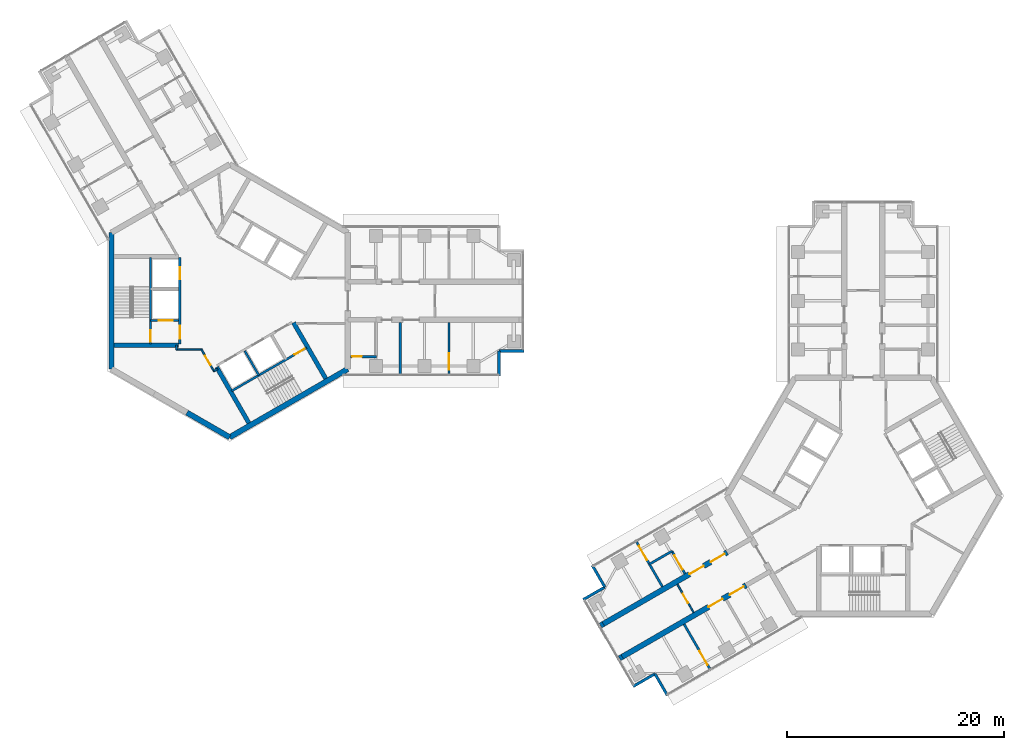
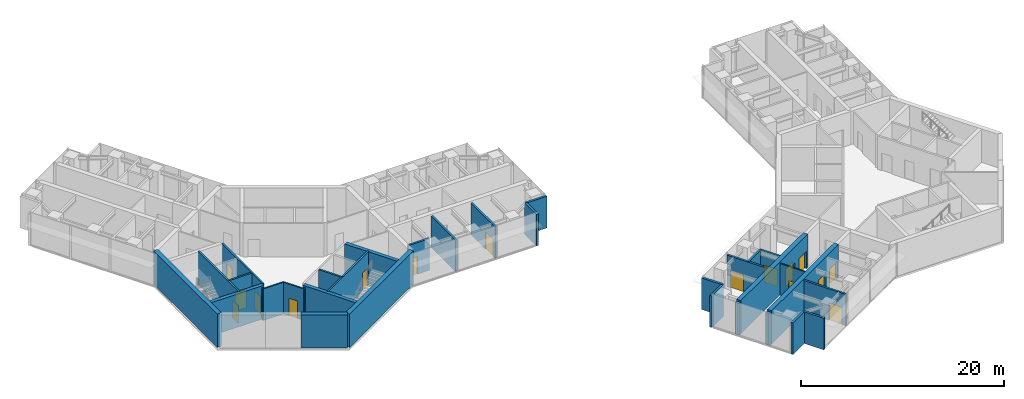
# One storey, part 11 of 17: 33 walls, 16 doors, 16 openings.
"""IFC4 building model written with IfcOpenShell, lengths in metres."""

from ifc_helpers import new_model, si_unit, direction, frame, frame_2d, origin, place, context, subcontext, project, spatial, rectangle, extrude, material, layer, layer_set, type_object, element, fill, save


model = new_model("IFC4")

# Units and contexts
model_context = context("Model", 3, precision=1e-05, world=origin(), true_north=direction((0.0, 1.0)))
body_context = subcontext(model_context, "Body", "Model", "MODEL_VIEW")
ifc_project = project(units=[si_unit("LENGTHUNIT", "METRE"), si_unit("AREAUNIT", "SQUARE_METRE"), si_unit("VOLUMEUNIT", "CUBIC_METRE"), si_unit("PLANEANGLEUNIT", "RADIAN"), si_unit("MASSUNIT", "GRAM", prefix="KILO")], contexts=[model_context])

# Site, building, storey
site_placement = place(None, origin())
site = spatial("IfcSite", under=ifc_project, at=site_placement, CompositionType="ELEMENT")
building_placement = place(site_placement, origin())
building = spatial("IfcBuilding", under=site, at=building_placement, Name="Upepo Twin Towers", CompositionType="ELEMENT")
storey_placement = place(building_placement, frame((0.0, 0.0, 190.5)))
storey = spatial("IfcBuildingStorey", under=building, at=storey_placement, Name="L46", CompositionType="ELEMENT", Elevation=190.5)

# Wall
ifc_material_1 = material(Name="Concrete blockwork, plastered both faces", Category="masonry")
ifc_layer_1 = layer(ifc_material_1, 0.215087890625)
ifc_layer_set_1 = layer_set([ifc_layer_1], Name="Blockwork partition 215")
wall_type_1 = type_object("IfcWallType", Name="Blockwork partition 215", PredefinedType="PARTITIONING", material=ifc_layer_set_1)
wall_1_placement = place(storey_placement, frame((15.75, -2.0, 0.0), z_axis=(0.0, 0.0, 1.0), x_axis=(0.0, -1.0, 0.0)))
element("IfcWall", 1, at=wall_1_placement, inside=storey, type_object=wall_type_1, Name="T1 partition AR at 15.75", PredefinedType="PARTITIONING", context=body_context, shape_type="SweptSolid", body=[
    extrude(rectangle(XDim=4.75, YDim=0.215087890625, at=frame_2d((2.375, 0.0))), origin(), (0.0, 0.0, 1.0), 3.800048828125),
])

# Wall, opening, door
wall_2_placement = place(storey_placement, frame((20.25, -2.0, 0.0), z_axis=(0.0, 0.0, 1.0), x_axis=(0.0, -1.0, 0.0)))
wall_2 = element("IfcWall", 2, at=wall_2_placement, inside=storey, type_object=wall_type_1, Name="T1 partition AR at 20.25", PredefinedType="PARTITIONING", context=body_context, shape_type="SweptSolid", body=[
    extrude(rectangle(XDim=4.75, YDim=0.215087890625, at=frame_2d((2.375, 0.0))), origin(), (0.0, 0.0, 1.0), 3.800048828125),
])
opening_1_placement = place(wall_2_placement, frame((2.85009765625, 0.0, 0.0)))
opening_1 = element("IfcOpeningElement", 3, at=opening_1_placement, cuts=wall_2, Name="Opening D13", PredefinedType="OPENING", context=body_context, shape_type="SweptSolid", body=[
    extrude(rectangle(XDim=1.5, YDim=2.10009765625, at=frame_2d((0.75, 1.050048828125))), frame((0.0, 0.117431640625, 0.0), z_axis=(0.0, -1.0, 0.0), x_axis=(1.0, 0.0, 0.0)), (0.0, 0.0, 1.0), 0.235107421875),
])
ifc_material_2 = material(Name="Timber doorset", Category="wood")
door_type_1 = type_object("IfcDoorType", Name="Double door 1500 FD30", OperationType="DOUBLE_DOOR_SINGLE_SWING", PredefinedType="DOOR", material=ifc_material_2)
door_1_placement = place(opening_1_placement, origin())
door_1 = element("IfcDoor", 4, at=door_1_placement, inside=storey, type_object=door_type_1, Name="T1 L46 connecting door", OperationType="DOUBLE_DOOR_SINGLE_SWING", OverallHeight=2.10009765625, OverallWidth=1.5, PredefinedType="DOOR", context=body_context, shape_type="SweptSolid", body=[
    extrude(rectangle(XDim=1.5, YDim=2.10009765625, at=frame_2d((0.75, 1.050048828125))), frame((0.0, 0.02490234375, 0.0), z_axis=(0.0, -1.0, 0.0), x_axis=(1.0, 0.0, 0.0)), (0.0, 0.0, 1.0), 0.050048828125),
])
fill(opening_1, door_1)

wall_3_placement = place(storey_placement, frame((11.157958984375, -5.14990234375, 0.0), z_axis=(0.0, 0.0, 1.0), x_axis=(1.0, 0.0, 0.0)))
wall_3 = element("IfcWall", 5, at=wall_3_placement, inside=storey, type_object=wall_type_1, Name="T1 WC bay partition AR at 11.16", PredefinedType="PARTITIONING", context=body_context, shape_type="SweptSolid", body=[
    extrude(rectangle(XDim=2.400146484375, YDim=0.215087890625, at=frame_2d((1.2001953125, 0.0))), origin(), (0.0, 0.0, 1.0), 3.800048828125),
])
opening_2_placement = place(wall_3_placement, frame((0.14990234375, 0.0, 0.0)))
opening_2 = element("IfcOpeningElement", 6, at=opening_2_placement, cuts=wall_3, Name="Opening D14", PredefinedType="OPENING", context=body_context, shape_type="SweptSolid", body=[
    extrude(rectangle(XDim=0.89990234375, YDim=2.10009765625, at=frame_2d((0.449951171875, 1.050048828125))), frame((0.0, 0.117431640625, 0.0), z_axis=(0.0, -1.0, 0.0), x_axis=(1.0, 0.0, 0.0)), (0.0, 0.0, 1.0), 0.235107421875),
])
ifc_material_3 = material(Name="Timber doorset", Category="wood")
door_type_2 = type_object("IfcDoorType", Name="Office door 900 FD30", OperationType="SINGLE_SWING_LEFT", PredefinedType="DOOR", material=ifc_material_3)
door_2_placement = place(opening_2_placement, origin())
door_2 = element("IfcDoor", 7, at=door_2_placement, inside=storey, type_object=door_type_2, Name="T1 L46 WC bay inner room door", OperationType="SINGLE_SWING_LEFT", OverallHeight=2.10009765625, OverallWidth=0.89990234375, PredefinedType="DOOR", context=body_context, shape_type="SweptSolid", body=[
    extrude(rectangle(XDim=0.89990234375, YDim=2.10009765625, at=frame_2d((0.449951171875, 1.050048828125))), frame((0.0, 0.02490234375, 0.0), z_axis=(0.0, -1.0, 0.0), x_axis=(1.0, 0.0, 0.0)), (0.0, 0.0, 1.0), 0.050048828125),
])
fill(opening_2, door_2)

wall_4_placement = place(storey_placement, frame((41.962890625, -29.85693359375, 0.0), z_axis=(0.0, 0.0, 1.0), x_axis=(0.499986429846, -0.866033238375, 0.0)))
wall_4 = element("IfcWall", 8, at=wall_4_placement, inside=storey, type_object=wall_type_1, Name="T2 partition BL at 20.25", PredefinedType="PARTITIONING", context=body_context, shape_type="SweptSolid", body=[
    extrude(rectangle(XDim=4.750244140625, YDim=0.215087890625, at=frame_2d((2.375, 0.0))), origin(), (0.0, 0.0, 1.0), 3.800048828125),
])
opening_3_placement = place(wall_4_placement, frame((2.85009765625, 0.0, 0.0)))
opening_3 = element("IfcOpeningElement", 9, at=opening_3_placement, cuts=wall_4, Name="Opening D13", PredefinedType="OPENING", context=body_context, shape_type="SweptSolid", body=[
    extrude(rectangle(XDim=1.5, YDim=2.10009765625, at=frame_2d((0.75, 1.050048828125))), frame((0.0, 0.117431640625, 0.0), z_axis=(0.0, -1.0, 0.0), x_axis=(1.0, 0.0, 0.0)), (0.0, 0.0, 1.0), 0.235107421875),
])
door_3_placement = place(opening_3_placement, origin())
door_3 = element("IfcDoor", 10, at=door_3_placement, inside=storey, type_object=door_type_1, Name="T2 L46 connecting door", OperationType="DOUBLE_DOOR_SINGLE_SWING", OverallHeight=2.10009765625, OverallWidth=1.5, PredefinedType="DOOR", context=body_context, shape_type="SweptSolid", body=[
    extrude(rectangle(XDim=1.5, YDim=2.10009765625, at=frame_2d((0.75, 1.050048828125))), frame((0.0, 0.02490234375, 0.0), z_axis=(0.0, -1.0, 0.0), x_axis=(1.0, 0.0, 0.0)), (0.0, 0.0, 1.0), 0.050048828125),
])
fill(opening_3, door_3)

wall_5_placement = place(storey_placement, frame((39.962890625, -26.39306640625, 0.0), z_axis=(0.0, 0.0, 1.0), x_axis=(-0.499986429846, 0.866033238375, 0.0)))
wall_5 = element("IfcWall", 11, at=wall_5_placement, inside=storey, type_object=wall_type_1, Name="T2 partition BR at 20.25", PredefinedType="PARTITIONING", context=body_context, shape_type="SweptSolid", body=[
    extrude(rectangle(XDim=4.750244140625, YDim=0.215087890625, at=frame_2d((2.375, 0.0))), origin(), (0.0, 0.0, 1.0), 3.800048828125),
])
opening_4_placement = place(wall_5_placement, frame((2.85009765625, 0.0, 0.0)))
opening_4 = element("IfcOpeningElement", 12, at=opening_4_placement, cuts=wall_5, Name="Opening D13", PredefinedType="OPENING", context=body_context, shape_type="SweptSolid", body=[
    extrude(rectangle(XDim=1.5, YDim=2.10009765625, at=frame_2d((0.75, 1.050048828125))), frame((0.0, 0.117431640625, 0.0), z_axis=(0.0, -1.0, 0.0), x_axis=(1.0, 0.0, 0.0)), (0.0, 0.0, 1.0), 0.235107421875),
])
door_4_placement = place(opening_4_placement, origin())
door_4 = element("IfcDoor", 13, at=door_4_placement, inside=storey, type_object=door_type_1, Name="T2 L46 connecting door", OperationType="DOUBLE_DOOR_SINGLE_SWING", OverallHeight=2.10009765625, OverallWidth=1.5, PredefinedType="DOOR", context=body_context, shape_type="SweptSolid", body=[
    extrude(rectangle(XDim=1.5, YDim=2.10009765625, at=frame_2d((0.75, 1.050048828125))), frame((0.0, 0.02490234375, 0.0), z_axis=(0.0, -1.0, 0.0), x_axis=(1.0, 0.0, 0.0)), (0.0, 0.0, 1.0), 0.050048828125),
])
fill(opening_4, door_4)

# Wall
wall_6_placement = place(storey_placement, frame((40.841552734375, -23.114501953125, 0.0), z_axis=(0.0, 0.0, 1.0), x_axis=(-0.866050077142, -0.499957262057, 0.0)))
element("IfcWall", 14, at=wall_6_placement, inside=storey, type_object=wall_type_1, Name="T2 inner room partition BR at 17.85", PredefinedType="PARTITIONING", context=body_context, shape_type="SweptSolid", body=[
    extrude(rectangle(XDim=2.400146484375, YDim=0.215087890625, at=frame_2d((1.2001953125, 0.0))), origin(), (0.0, 0.0, 1.0), 3.800048828125),
])

# Wall, opening, door
wall_7_placement = place(storey_placement, frame((42.04150390625, -25.19287109375, 0.0), z_axis=(0.0, 0.0, 1.0), x_axis=(-0.500001309137, 0.866024647952, 0.0)))
wall_7 = element("IfcWall", 15, at=wall_7_placement, inside=storey, type_object=wall_type_1, Name="T2 inner room partition BR end at 17.85", PredefinedType="PARTITIONING", context=body_context, shape_type="SweptSolid", body=[
    extrude(rectangle(XDim=2.39990234375, YDim=0.215087890625, at=frame_2d((1.199951171875, 0.0))), origin(), (0.0, 0.0, 1.0), 3.800048828125),
])
opening_5_placement = place(wall_7_placement, frame((0.449951171875, 0.0, 0.0)))
opening_5 = element("IfcOpeningElement", 16, at=opening_5_placement, cuts=wall_7, Name="Opening D13", PredefinedType="OPENING", context=body_context, shape_type="SweptSolid", body=[
    extrude(rectangle(XDim=1.5, YDim=2.10009765625, at=frame_2d((0.75, 1.050048828125))), frame((0.0, 0.117431640625, 0.0), z_axis=(0.0, -1.0, 0.0), x_axis=(1.0, 0.0, 0.0)), (0.0, 0.0, 1.0), 0.235107421875),
])
door_5_placement = place(opening_5_placement, origin())
door_5 = element("IfcDoor", 17, at=door_5_placement, inside=storey, type_object=door_type_1, Name="T2 L46 inner room door", OperationType="DOUBLE_DOOR_SINGLE_SWING", OverallHeight=2.10009765625, OverallWidth=1.5, PredefinedType="DOOR", context=body_context, shape_type="SweptSolid", body=[
    extrude(rectangle(XDim=1.5, YDim=2.10009765625, at=frame_2d((0.75, 1.050048828125))), frame((0.0, 0.02490234375, 0.0), z_axis=(0.0, -1.0, 0.0), x_axis=(1.0, 0.0, 0.0)), (0.0, 0.0, 1.0), 0.050048828125),
])
fill(opening_5, door_5)

# Walls
ifc_material_4 = material(Name="Dense concrete blockwork", Category="masonry")
ifc_layer_2 = layer(ifc_material_4, 0.5)
ifc_layer_set_2 = layer_set([ifc_layer_2], Name="Buttress closer 500, blockwork with fire-stopping to the curtain wall")
wall_type_2 = type_object("IfcWallType", Name="Buttress closer 500, blockwork with fire-stopping to the curtain wall", PredefinedType="PARTITIONING", material=ifc_layer_set_2)
for number, where, z_axis, x_axis, name in (
    (18, (36.252197265625, -32.865478515625, 0.0), (0.0, 0.0, 1.0), (-0.86598763626, -0.500065409566, 0.0), "T2 L46 wing B buttress closer L"),
    (19, (34.502197265625, -29.83447265625, 0.0), (0.0, 0.0, 1.0), (-0.86598763626, -0.500065409566, 0.0), "T2 L46 wing B buttress closer R"),
):
    element("IfcWall", number, at=place(storey_placement, frame(where, z_axis=z_axis, x_axis=x_axis)), inside=storey, type_object=wall_type_2, Name=name, PredefinedType="PARTITIONING", context=body_context, shape_type="SweptSolid", body=[
        extrude(rectangle(XDim=0.28759765625, YDim=0.5, at=frame_2d((0.143798828125, 0.0))), origin(), (0.0, 0.0, 1.0), 3.800048828125),
    ])

# Wall, openings, doors
ifc_material_5 = material(Name="Concrete C60/75", Category="concrete")
ifc_layer_3 = layer(ifc_material_5, 0.5)
ifc_layer_set_3 = layer_set([ifc_layer_3], Name="Concrete C60/75")
wall_type_3 = type_object("IfcWallType", Name="Buttress wall 500 RC", PredefinedType="SHEAR", material=ifc_layer_set_3)
wall_8_placement = place(storey_placement, frame((47.68359375, -26.265625, 0.0), z_axis=(0.0, 0.0, 1.0), x_axis=(-0.866027579429, -0.499996231654, 0.0)))
wall_8 = element("IfcWall", 20, at=wall_8_placement, inside=storey, type_object=wall_type_3, Name="T2 wing B buttress wall L part 2", PredefinedType="SHEAR", context=body_context, shape_type="SweptSolid", body=[
    extrude(rectangle(XDim=13.19970703125, YDim=0.5, at=frame_2d((6.599853515625, 0.0))), origin(), (0.0, 0.0, 1.0), 4.0),
])
opening_6_placement = place(wall_8_placement, frame((0.25, 0.0, 0.0)))
opening_6 = element("IfcOpeningElement", 21, at=opening_6_placement, cuts=wall_8, Name="Opening D13", PredefinedType="OPENING", context=body_context, shape_type="SweptSolid", body=[
    extrude(rectangle(XDim=1.5, YDim=2.10009765625, at=frame_2d((0.75, 1.050048828125))), frame((0.0, 0.260009765625, 0.0), z_axis=(0.0, -1.0, 0.0), x_axis=(1.0, 0.0, 0.0)), (0.0, 0.0, 1.0), 0.52001953125),
])
opening_7_placement = place(wall_8_placement, frame((2.5, 0.0, 0.0)))
opening_7 = element("IfcOpeningElement", 22, at=opening_7_placement, cuts=wall_8, Name="Opening D13", PredefinedType="OPENING", context=body_context, shape_type="SweptSolid", body=[
    extrude(rectangle(XDim=1.5, YDim=2.10009765625, at=frame_2d((0.75, 1.050048828125))), frame((0.0, 0.260009765625, 0.0), z_axis=(0.0, -1.0, 0.0), x_axis=(1.0, 0.0, 0.0)), (0.0, 0.0, 1.0), 0.52001953125),
])
door_6_placement = place(opening_6_placement, origin())
door_6 = element("IfcDoor", 23, at=door_6_placement, inside=storey, type_object=door_type_1, Name="T2 L46 tutorial room door", OperationType="DOUBLE_DOOR_SINGLE_SWING", OverallHeight=2.10009765625, OverallWidth=1.5, PredefinedType="DOOR", context=body_context, shape_type="SweptSolid", body=[
    extrude(rectangle(XDim=1.5, YDim=2.10009765625, at=frame_2d((0.75, 1.050048828125))), frame((0.0, 0.02490234375, 0.0), z_axis=(0.0, -1.0, 0.0), x_axis=(1.0, 0.0, 0.0)), (0.0, 0.0, 1.0), 0.050048828125),
])
fill(opening_6, door_6)
door_7_placement = place(opening_7_placement, origin())
door_7 = element("IfcDoor", 24, at=door_7_placement, inside=storey, type_object=door_type_1, Name="T2 L46 seminar room door", OperationType="DOUBLE_DOOR_SINGLE_SWING", OverallHeight=2.10009765625, OverallWidth=1.5, PredefinedType="DOOR", context=body_context, shape_type="SweptSolid", body=[
    extrude(rectangle(XDim=1.5, YDim=2.10009765625, at=frame_2d((0.75, 1.050048828125))), frame((0.0, 0.02490234375, 0.0), z_axis=(0.0, -1.0, 0.0), x_axis=(1.0, 0.0, 0.0)), (0.0, 0.0, 1.0), 0.050048828125),
])
fill(opening_7, door_7)

wall_9_placement = place(storey_placement, frame((45.93359375, -23.234375, 0.0), z_axis=(0.0, 0.0, 1.0), x_axis=(-0.866019570528, -0.500010103361, 0.0)))
wall_9 = element("IfcWall", 25, at=wall_9_placement, inside=storey, type_object=wall_type_3, Name="T2 wing B buttress wall R part 2", PredefinedType="SHEAR", context=body_context, shape_type="SweptSolid", body=[
    extrude(rectangle(XDim=13.199951171875, YDim=0.5, at=frame_2d((6.60009765625, 0.0))), origin(), (0.0, 0.0, 1.0), 4.0),
])
opening_8_placement = place(wall_9_placement, frame((0.25, 0.0, 0.0)))
opening_8 = element("IfcOpeningElement", 26, at=opening_8_placement, cuts=wall_9, Name="Opening D13", PredefinedType="OPENING", context=body_context, shape_type="SweptSolid", body=[
    extrude(rectangle(XDim=1.5, YDim=2.10009765625, at=frame_2d((0.75, 1.050048828125))), frame((0.0, 0.260009765625, 0.0), z_axis=(0.0, -1.0, 0.0), x_axis=(1.0, 0.0, 0.0)), (0.0, 0.0, 1.0), 0.52001953125),
])
opening_9_placement = place(wall_9_placement, frame((2.5, 0.0, 0.0)))
opening_9 = element("IfcOpeningElement", 27, at=opening_9_placement, cuts=wall_9, Name="Opening D13", PredefinedType="OPENING", context=body_context, shape_type="SweptSolid", body=[
    extrude(rectangle(XDim=1.5, YDim=2.10009765625, at=frame_2d((0.75, 1.050048828125))), frame((0.0, 0.260009765625, 0.0), z_axis=(0.0, -1.0, 0.0), x_axis=(1.0, 0.0, 0.0)), (0.0, 0.0, 1.0), 0.52001953125),
])
door_8_placement = place(opening_8_placement, origin())
door_8 = element("IfcDoor", 28, at=door_8_placement, inside=storey, type_object=door_type_1, Name="T2 L46 lecture room door", OperationType="DOUBLE_DOOR_SINGLE_SWING", OverallHeight=2.10009765625, OverallWidth=1.5, PredefinedType="DOOR", context=body_context, shape_type="SweptSolid", body=[
    extrude(rectangle(XDim=1.5, YDim=2.10009765625, at=frame_2d((0.75, 1.050048828125))), frame((0.0, 0.02490234375, 0.0), z_axis=(0.0, -1.0, 0.0), x_axis=(1.0, 0.0, 0.0)), (0.0, 0.0, 1.0), 0.050048828125),
])
fill(opening_8, door_8)
door_9_placement = place(opening_9_placement, origin())
door_9 = element("IfcDoor", 29, at=door_9_placement, inside=storey, type_object=door_type_1, Name="T2 L46 lecture room door", OperationType="DOUBLE_DOOR_SINGLE_SWING", OverallHeight=2.10009765625, OverallWidth=1.5, PredefinedType="DOOR", context=body_context, shape_type="SweptSolid", body=[
    extrude(rectangle(XDim=1.5, YDim=2.10009765625, at=frame_2d((0.75, 1.050048828125))), frame((0.0, 0.02490234375, 0.0), z_axis=(0.0, -1.0, 0.0), x_axis=(1.0, 0.0, 0.0)), (0.0, 0.0, 1.0), 0.050048828125),
])
fill(opening_9, door_9)

# Walls
ifc_material_6 = material(Name="Concrete C60/75", Category="concrete")
ifc_layer_4 = layer(ifc_material_6, 0.5)
ifc_layer_set_4 = layer_set([ifc_layer_4], Name="Concrete C60/75")
wall_type_4 = type_object("IfcWallType", Name="Core wall 500 RC", PredefinedType="SHEAR", material=ifc_layer_set_4)
wall_10_placement = place(storey_placement, frame((-10.908447265625, 6.2978515625, 0.0), z_axis=(0.0, 0.0, 1.0), x_axis=(0.0, -1.0, 0.0)))
element("IfcWall", 30, at=wall_10_placement, inside=storey, type_object=wall_type_4, Name="T1 core wall 180", PredefinedType="SHEAR", context=body_context, shape_type="SweptSolid", body=[
    extrude(rectangle(XDim=12.595703125, YDim=0.5, at=frame_2d((6.2978515625, 0.0))), origin(), (0.0, 0.0, 1.0), 4.0),
])
wall_11_placement = place(storey_placement, frame((-3.938720703125, -10.32177734375, 0.0), z_axis=(0.0, 0.0, 1.0), x_axis=(0.866011268655, -0.500024481964, 0.0)))
element("IfcWall", 31, at=wall_11_placement, inside=storey, type_object=wall_type_4, Name="T1 core wall 240 L", PredefinedType="SHEAR", context=body_context, shape_type="SweptSolid", body=[
    extrude(rectangle(XDim=4.548095703125, YDim=0.5, at=frame_2d((2.27392578125, 0.0))), origin(), (0.0, 0.0, 1.0), 4.0),
])
wall_12_placement = place(storey_placement, frame((0.0, -12.595947265625, 0.0), z_axis=(0.0, 0.0, 1.0), x_axis=(0.866021940709, 0.500005998175, 0.0)))
element("IfcWall", 32, at=wall_12_placement, inside=storey, type_object=wall_type_4, Name="T1 core wall 300", PredefinedType="SHEAR", context=body_context, shape_type="SweptSolid", body=[
    extrude(rectangle(XDim=12.595947265625, YDim=0.5, at=frame_2d((6.2978515625, 0.0))), origin(), (0.0, 0.0, 1.0), 4.0),
])
ifc_material_7 = material(Name="Blockwork with anodised aluminium cladding", Category="masonry")
ifc_layer_5 = layer(ifc_material_7, 0.25)
ifc_layer_set_5 = layer_set([ifc_layer_5], Name="Notch cladding wall 250, pale metal")
wall_type_5 = type_object("IfcWallType", Name="Notch cladding wall 250, pale metal", PredefinedType="STANDARD", material=ifc_layer_set_5)
for number, where, z_axis, x_axis, name in (
    (33, (24.875, -6.949951171875, 0.0), (0.0, 0.0, 1.0), (0.0, 1.0, 0.0), "T1 L46 wing A notch wall R1"),
    (34, (24.875, -4.625, 0.0), (0.0, 0.0, 1.0), (1.0, 0.0, 0.0), "T1 L46 wing A notch wall R2"),
    (35, (40.4326171875, -36.456298828125, 0.0), (0.0, 0.0, 1.0), (-0.500046648681, 0.865998469481, 0.0), "T2 L46 wing B notch wall L1"),
    (36, (39.27001953125, -34.44287109375, 0.0), (0.0, 0.0, 1.0), (-0.865998469481, -0.500046648681, 0.0), "T2 L46 wing B notch wall L2"),
    (37, (33.482666015625, -24.418701171875, 0.0), (0.0, 0.0, 1.0), (0.499967891604, -0.866043940782, 0.0), "T2 L46 wing B notch wall R1"),
    (38, (34.64501953125, -26.43212890625, 0.0), (0.0, 0.0, 1.0), (-0.865998469481, -0.500046648681, 0.0), "T2 L46 wing B notch wall R2"),
):
    element("IfcWall", number, at=place(storey_placement, frame(where, z_axis=z_axis, x_axis=x_axis)), inside=storey, type_object=wall_type_5, Name=name, PredefinedType="STANDARD", context=body_context, shape_type="SweptSolid", body=[
        extrude(rectangle(XDim=2.324951171875, YDim=0.25, at=frame_2d((1.16259765625, 0.0))), origin(), (0.0, 0.0, 1.0), 3.800048828125),
    ])

# Wall, openings, doors
ifc_material_8 = material(Name="Concrete C40/50", Category="concrete")
ifc_layer_6 = layer(ifc_material_8, 0.199951171875)
ifc_layer_set_6 = layer_set([ifc_layer_6], Name="Concrete C40/50")
wall_type_6 = type_object("IfcWallType", Name="Shaft wall 200 RC", PredefinedType="SHEAR", material=ifc_layer_set_6)
wall_13_placement = place(storey_placement, frame((-4.60009765625, 4.0, 0.0), z_axis=(0.0, 0.0, 1.0), x_axis=(0.0, -1.0, 0.0)))
wall_13 = element("IfcWall", 39, at=wall_13_placement, inside=storey, type_object=wall_type_6, Name="T1 core W180 front wall", PredefinedType="SHEAR", context=body_context, shape_type="SweptSolid", body=[
    extrude(rectangle(XDim=8.0, YDim=0.199951171875, at=frame_2d((4.0, 0.0))), origin(), (0.0, 0.0, 1.0), 4.0),
])
opening_10_placement = place(wall_13_placement, frame((6.300048828125, 0.0, 0.0)))
opening_10 = element("IfcOpeningElement", 40, at=opening_10_placement, cuts=wall_13, Name="Opening D4", PredefinedType="OPENING", context=body_context, shape_type="SweptSolid", body=[
    extrude(rectangle(XDim=1.199951171875, YDim=2.10009765625, at=frame_2d((0.60009765625, 1.050048828125))), frame((0.0, 0.10986328125, 0.0), z_axis=(0.0, -1.0, 0.0), x_axis=(1.0, 0.0, 0.0)), (0.0, 0.0, 1.0), 0.219970703125),
])
opening_11_placement = place(wall_13_placement, frame((0.89990234375, 0.0, 0.0)))
opening_11 = element("IfcOpeningElement", 41, at=opening_11_placement, cuts=wall_13, Name="Opening LD1", PredefinedType="OPENING", context=body_context, shape_type="SweptSolid", body=[
    extrude(rectangle(XDim=1.10009765625, YDim=2.199951171875, at=frame_2d((0.550048828125, 1.10009765625))), frame((0.0, 0.10986328125, 0.0), z_axis=(0.0, -1.0, 0.0), x_axis=(1.0, 0.0, 0.0)), (0.0, 0.0, 1.0), 0.219970703125),
])
ifc_material_9 = material(Name="Steel doorset", Category="steel")
door_type_3 = type_object("IfcDoorType", Name="Lift landing door 1100", OperationType="DOUBLE_DOOR_SLIDING", PredefinedType="DOOR", material=ifc_material_9)
door_10_placement = place(opening_11_placement, origin())
door_10 = element("IfcDoor", 42, at=door_10_placement, inside=storey, type_object=door_type_3, Name="T1 L46 lift SV1 landing door", OperationType="DOUBLE_DOOR_SLIDING", OverallHeight=2.199951171875, OverallWidth=1.10009765625, PredefinedType="DOOR", context=body_context, shape_type="SweptSolid", body=[
    extrude(rectangle(XDim=1.10009765625, YDim=2.199951171875, at=frame_2d((0.550048828125, 1.10009765625))), frame((0.0, 0.02490234375, 0.0), z_axis=(0.0, -1.0, 0.0), x_axis=(1.0, 0.0, 0.0)), (0.0, 0.0, 1.0), 0.050048828125),
])
fill(opening_11, door_10)
ifc_material_10 = material(Name="Timber doorset", Category="wood")
door_type_4 = type_object("IfcDoorType", Name="Lobby door 1200 FD60", OperationType="SINGLE_SWING_LEFT", PredefinedType="DOOR", material=ifc_material_10)
door_11_placement = place(opening_10_placement, origin())
door_11 = element("IfcDoor", 43, at=door_11_placement, inside=storey, type_object=door_type_4, Name="T1 L46 W180 lobby door", OperationType="SINGLE_SWING_RIGHT", OverallHeight=2.10009765625, OverallWidth=1.199951171875, PredefinedType="DOOR", context=body_context, shape_type="SweptSolid", body=[
    extrude(rectangle(XDim=1.199951171875, YDim=2.10009765625, at=frame_2d((0.60009765625, 1.050048828125))), frame((0.0, 0.02490234375, 0.0), z_axis=(0.0, -1.0, 0.0), x_axis=(1.0, 0.0, 0.0)), (0.0, 0.0, 1.0), 0.050048828125),
])
fill(opening_10, door_11)

# Wall, opening, door
wall_14_placement = place(storey_placement, frame((-4.699951171875, -1.800048828125, 0.0), z_axis=(0.0, 0.0, 1.0), x_axis=(-1.0, 0.0, 0.0)))
wall_14 = element("IfcWall", 44, at=wall_14_placement, inside=storey, type_object=wall_type_6, Name="T1 core W180 lobby wall", PredefinedType="SHEAR", context=body_context, shape_type="SweptSolid", body=[
    extrude(rectangle(XDim=2.60009765625, YDim=0.199951171875, at=frame_2d((1.300048828125, 0.0))), origin(), (0.0, 0.0, 1.0), 4.0),
])
opening_12_placement = place(wall_14_placement, frame((0.550048828125, 0.0, 0.0)))
opening_12 = element("IfcOpeningElement", 45, at=opening_12_placement, cuts=wall_14, Name="Opening LD2", PredefinedType="OPENING", context=body_context, shape_type="SweptSolid", body=[
    extrude(rectangle(XDim=1.300048828125, YDim=2.199951171875, at=frame_2d((0.64990234375, 1.10009765625))), frame((0.0, 0.10986328125, 0.0), z_axis=(0.0, -1.0, 0.0), x_axis=(1.0, 0.0, 0.0)), (0.0, 0.0, 1.0), 0.219970703125),
])
ifc_material_11 = material(Name="Steel doorset", Category="steel")
door_type_5 = type_object("IfcDoorType", Name="Firefighting lift landing door 1300", OperationType="DOUBLE_DOOR_SLIDING", PredefinedType="DOOR", material=ifc_material_11)
door_12_placement = place(opening_12_placement, origin())
door_12 = element("IfcDoor", 46, at=door_12_placement, inside=storey, type_object=door_type_5, Name="T1 L46 firefighting lift landing door", OperationType="DOUBLE_DOOR_SLIDING", OverallHeight=2.199951171875, OverallWidth=1.300048828125, PredefinedType="DOOR", context=body_context, shape_type="SweptSolid", body=[
    extrude(rectangle(XDim=1.300048828125, YDim=2.199951171875, at=frame_2d((0.64990234375, 1.10009765625))), frame((0.0, 0.02490234375, 0.0), z_axis=(0.0, -1.0, 0.0), x_axis=(1.0, 0.0, 0.0)), (0.0, 0.0, 1.0), 0.050048828125),
])
fill(opening_12, door_12)

wall_15_placement = place(storey_placement, frame((-7.300048828125, 4.0, 0.0), z_axis=(0.0, 0.0, 1.0), x_axis=(0.0, -1.0, 0.0)))
wall_15 = element("IfcWall", 47, at=wall_15_placement, inside=storey, type_object=wall_type_6, Name="T1 core W180 stair wall", PredefinedType="SHEAR", context=body_context, shape_type="SweptSolid", body=[
    extrude(rectangle(XDim=8.0, YDim=0.199951171875, at=frame_2d((4.0, 0.0))), origin(), (0.0, 0.0, 1.0), 4.0),
])
opening_13_placement = place(wall_15_placement, frame((6.699951171875, 0.0, 0.0)))
opening_13 = element("IfcOpeningElement", 48, at=opening_13_placement, cuts=wall_15, Name="Opening D3", PredefinedType="OPENING", context=body_context, shape_type="SweptSolid", body=[
    extrude(rectangle(XDim=1.10009765625, YDim=2.10009765625, at=frame_2d((0.550048828125, 1.050048828125))), frame((0.0, 0.10986328125, 0.0), z_axis=(0.0, -1.0, 0.0), x_axis=(1.0, 0.0, 0.0)), (0.0, 0.0, 1.0), 0.219970703125),
])
ifc_material_12 = material(Name="Timber doorset", Category="wood")
door_type_6 = type_object("IfcDoorType", Name="Stair door 1100 FD60", OperationType="SINGLE_SWING_LEFT", PredefinedType="DOOR", material=ifc_material_12)
door_13_placement = place(opening_13_placement, origin())
door_13 = element("IfcDoor", 49, at=door_13_placement, inside=storey, type_object=door_type_6, Name="T1 L46 stair door", OperationType="SINGLE_SWING_RIGHT", OverallHeight=2.10009765625, OverallWidth=1.10009765625, PredefinedType="DOOR", context=body_context, shape_type="SweptSolid", body=[
    extrude(rectangle(XDim=1.10009765625, YDim=2.10009765625, at=frame_2d((0.550048828125, 1.050048828125))), frame((0.0, 0.02490234375, 0.0), z_axis=(0.0, -1.0, 0.0), x_axis=(1.0, 0.0, 0.0)), (0.0, 0.0, 1.0), 0.050048828125),
])
fill(opening_13, door_13)

# Wall
wall_16_placement = place(storey_placement, frame((1.3974609375, -4.620361328125, 0.0), z_axis=(0.0, 0.0, 1.0), x_axis=(0.499936506574, -0.866062058628, 0.0)))
element("IfcWall", 50, at=wall_16_placement, inside=storey, type_object=wall_type_6, Name="T1 core W300 shaft divider", PredefinedType="SHEAR", context=body_context, shape_type="SweptSolid", body=[
    extrude(rectangle(XDim=2.599853515625, YDim=0.199951171875, at=frame_2d((1.2998046875, 0.0))), origin(), (0.0, 0.0, 1.0), 4.0),
])

# Wall, opening, door
wall_17_placement = place(storey_placement, frame((0.185791015625, -8.322021484375, 0.0), z_axis=(0.0, 0.0, 1.0), x_axis=(0.866026010844, 0.49999894854, 0.0)))
wall_17 = element("IfcWall", 51, at=wall_17_placement, inside=storey, type_object=wall_type_6, Name="T1 core W300 stair wall", PredefinedType="SHEAR", context=body_context, shape_type="SweptSolid", body=[
    extrude(rectangle(XDim=8.0, YDim=0.199951171875, at=frame_2d((4.0, 0.0))), origin(), (0.0, 0.0, 1.0), 4.0),
])
opening_14_placement = place(wall_17_placement, frame((6.699951171875, 0.0, 0.0)))
opening_14 = element("IfcOpeningElement", 52, at=opening_14_placement, cuts=wall_17, Name="Opening D3", PredefinedType="OPENING", context=body_context, shape_type="SweptSolid", body=[
    extrude(rectangle(XDim=1.10009765625, YDim=2.10009765625, at=frame_2d((0.550048828125, 1.050048828125))), frame((0.0, 0.10986328125, 0.0), z_axis=(0.0, -1.0, 0.0), x_axis=(1.0, 0.0, 0.0)), (0.0, 0.0, 1.0), 0.219970703125),
])
door_14_placement = place(opening_14_placement, origin())
door_14 = element("IfcDoor", 53, at=door_14_placement, inside=storey, type_object=door_type_6, Name="T1 L46 stair door", OperationType="SINGLE_SWING_RIGHT", OverallHeight=2.10009765625, OverallWidth=1.10009765625, PredefinedType="DOOR", context=body_context, shape_type="SweptSolid", body=[
    extrude(rectangle(XDim=1.10009765625, YDim=2.10009765625, at=frame_2d((0.550048828125, 1.050048828125))), frame((0.0, 0.02490234375, 0.0), z_axis=(0.0, -1.0, 0.0), x_axis=(1.0, 0.0, 0.0)), (0.0, 0.0, 1.0), 0.050048828125),
])
fill(opening_14, door_14)

# Walls
ifc_material_13 = material(Name="Concrete C40/50", Category="concrete")
ifc_layer_7 = layer(ifc_material_13, 0.39990234375)
ifc_layer_set_7 = layer_set([ifc_layer_7], Name="Concrete C40/50")
wall_type_7 = type_object("IfcWallType", Name="Shaft wall 400 RC", PredefinedType="SHEAR", material=ifc_layer_set_7)
for number, where, z_axis, x_axis, name in (
    (54, (-4.699951171875, -4.10009765625, 0.0), (0.0, 0.0, 1.0), (-1.0, 0.0, 0.0), "T1 core W180 side wall N"),
    (55, (5.900634765625, -2.020263671875, 0.0), (0.0, 0.0, 1.0), (0.500003832394, -0.86602319114, 0.0), "T1 core W300 side wall N"),
):
    element("IfcWall", number, at=place(storey_placement, frame(where, z_axis=z_axis, x_axis=x_axis)), inside=storey, type_object=wall_type_7, Name=name, PredefinedType="SHEAR", context=body_context, shape_type="SweptSolid", body=[
        extrude(rectangle(XDim=5.95849609375, YDim=0.39990234375, at=frame_2d((2.979248046875, 0.0))), origin(), (0.0, 0.0, 1.0), 4.0),
    ])
wall_18_placement = place(storey_placement, frame((-1.20068359375, -6.120361328125, 0.0), z_axis=(0.0, 0.0, 1.0), x_axis=(0.500021575205, -0.866012946976, 0.0)))
element("IfcWall", 56, at=wall_18_placement, inside=storey, type_object=wall_type_7, Name="T1 core W300 side wall S", PredefinedType="SHEAR", context=body_context, shape_type="SweptSolid", body=[
    extrude(rectangle(XDim=5.958251953125, YDim=0.39990234375, at=frame_2d((2.97900390625, 0.0))), origin(), (0.0, 0.0, 1.0), 4.0),
])

# Wall, opening, door
ifc_material_14 = material(Name="Gypsum board on steel studs", Category="steel")
ifc_layer_8 = layer(ifc_material_14, 0.14990234375)
ifc_layer_set_8 = layer_set([ifc_layer_8], Name="Teaching partition 150 acoustic")
wall_type_8 = type_object("IfcWallType", Name="Teaching partition 150 acoustic", PredefinedType="PARTITIONING", material=ifc_layer_set_8)
wall_19_placement = place(storey_placement, frame((-1.43701171875, -6.5107421875, 0.0), z_axis=(0.0, 0.0, 1.0), x_axis=(-0.500074377092, 0.865982457891, 0.0)))
wall_19 = element("IfcWall", 57, at=wall_19_placement, inside=storey, type_object=wall_type_8, Name="T1 core room partition 1", PredefinedType="PARTITIONING", context=body_context, shape_type="SweptSolid", body=[
    extrude(rectangle(XDim=2.342041015625, YDim=0.14990234375, at=frame_2d((1.1708984375, 0.0))), origin(), (0.0, 0.0, 1.0), 3.800048828125),
])
opening_15_placement = place(wall_19_placement, frame((0.6708984375, 0.0, 0.0)))
opening_15 = element("IfcOpeningElement", 58, at=opening_15_placement, cuts=wall_19, Name="Opening D1", PredefinedType="OPENING", context=body_context, shape_type="SweptSolid", body=[
    extrude(rectangle(XDim=1.0, YDim=2.10009765625, at=frame_2d((0.5, 1.050048828125))), frame((0.0, 0.0849609375, 0.0), z_axis=(0.0, -1.0, 0.0), x_axis=(1.0, 0.0, 0.0)), (0.0, 0.0, 1.0), 0.169921875),
])
ifc_material_15 = material(Name="Timber doorset", Category="wood")
door_type_7 = type_object("IfcDoorType", Name="Room door 1000 FD30", OperationType="SINGLE_SWING_LEFT", PredefinedType="DOOR", material=ifc_material_15)
door_15_placement = place(opening_15_placement, origin())
door_15 = element("IfcDoor", 59, at=door_15_placement, inside=storey, type_object=door_type_7, Name="T1 L46 core room door K1", OperationType="SINGLE_SWING_RIGHT", OverallHeight=2.10009765625, OverallWidth=1.0, PredefinedType="DOOR", context=body_context, shape_type="SweptSolid", body=[
    extrude(rectangle(XDim=1.0, YDim=2.10009765625, at=frame_2d((0.5, 1.050048828125))), frame((0.0, 0.02490234375, 0.0), z_axis=(0.0, -1.0, 0.0), x_axis=(1.0, 0.0, 0.0)), (0.0, 0.0, 1.0), 0.050048828125),
])
fill(opening_15, door_15)

# Walls
wall_20_placement = place(storey_placement, frame((-2.578125, -4.5, 0.0), z_axis=(0.0, 0.0, 1.0), x_axis=(-1.0, 0.0, 0.0)))
element("IfcWall", 60, at=wall_20_placement, inside=storey, type_object=wall_type_8, Name="T1 core room partition 2", PredefinedType="PARTITIONING", context=body_context, shape_type="SweptSolid", body=[
    extrude(rectangle(XDim=2.341796875, YDim=0.14990234375, at=frame_2d((1.1708984375, 0.0))), origin(), (0.0, 0.0, 1.0), 3.800048828125),
])
for number, where, z_axis, x_axis, name in (
    (61, (-4.89990234375, -4.52001953125, 0.0), (0.0, 0.0, 1.0), (0.0, 1.0, 0.0), "T1 core room partition 3"),
    (62, (-1.092041015625, -6.28857421875, 0.0), (0.0, 0.0, 1.0), (-0.866138304741, -0.499804398801, 0.0), "T1 core room partition 8"),
):
    element("IfcWall", number, at=place(storey_placement, frame(where, z_axis=z_axis, x_axis=x_axis)), inside=storey, type_object=wall_type_8, Name=name, PredefinedType="PARTITIONING", context=body_context, shape_type="SweptSolid", body=[
        extrude(rectangle(XDim=0.429931640625, YDim=0.14990234375, at=frame_2d((0.21484375, 0.0))), origin(), (0.0, 0.0, 1.0), 3.800048828125),
    ])

# Wall, opening, door
wall_21_placement = place(storey_placement, frame((41.3388671875, -26.176025390625, 0.0), z_axis=(0.0, 0.0, 1.0), x_axis=(0.50002537861, -0.866010750942, 0.0)))
wall_21 = element("IfcWall", 63, at=wall_21_placement, inside=storey, type_object=wall_type_8, Name="T2 corridor end partition B at 18.95", PredefinedType="PARTITIONING", context=body_context, shape_type="SweptSolid", body=[
    extrude(rectangle(XDim=2.999755859375, YDim=0.14990234375, at=frame_2d((1.5, 0.0))), origin(), (0.0, 0.0, 1.0), 3.800048828125),
])
opening_16_placement = place(wall_21_placement, frame((1.0, 0.0, 0.0)))
opening_16 = element("IfcOpeningElement", 64, at=opening_16_placement, cuts=wall_21, Name="Opening D1", PredefinedType="OPENING", context=body_context, shape_type="SweptSolid", body=[
    extrude(rectangle(XDim=1.0, YDim=2.10009765625, at=frame_2d((0.5, 1.050048828125))), frame((0.0, 0.0849609375, 0.0), z_axis=(0.0, -1.0, 0.0), x_axis=(1.0, 0.0, 0.0)), (0.0, 0.0, 1.0), 0.169921875),
])
door_16_placement = place(opening_16_placement, origin())
door_16 = element("IfcDoor", 65, at=door_16_placement, inside=storey, type_object=door_type_7, Name="T2 L46 breakout study room door", OperationType="SINGLE_SWING_RIGHT", OverallHeight=2.10009765625, OverallWidth=1.0, PredefinedType="DOOR", context=body_context, shape_type="SweptSolid", body=[
    extrude(rectangle(XDim=1.0, YDim=2.10009765625, at=frame_2d((0.5, 1.050048828125))), frame((0.0, 0.02490234375, 0.0), z_axis=(0.0, -1.0, 0.0), x_axis=(1.0, 0.0, 0.0)), (0.0, 0.0, 1.0), 0.050048828125),
])
fill(opening_16, door_16)

save(model, "model.ifc")
